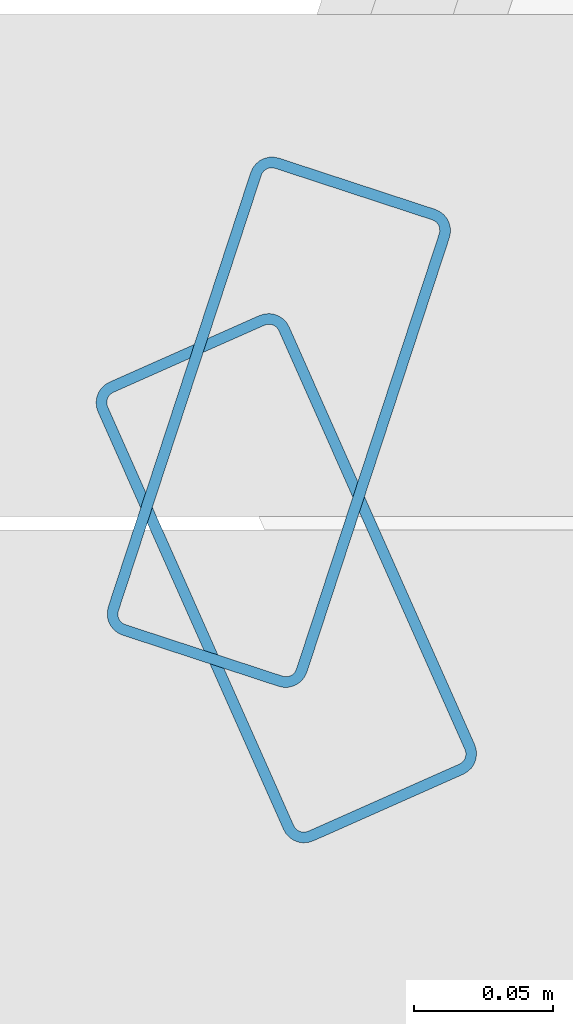
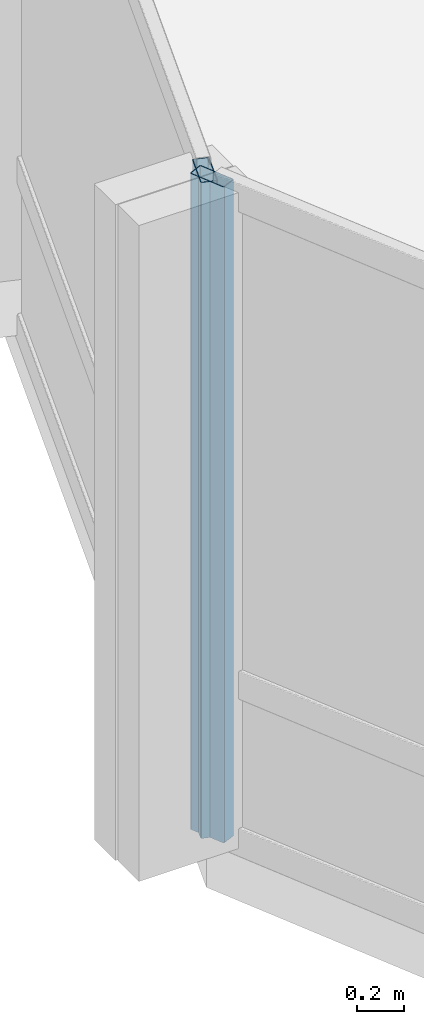
# One storey, part 6 of 28: 2 members, 2 elements without a shape of their own.
"""IFC4 building model written with IfcOpenShell, lengths in metres."""

import ifcopenshell
import ifcopenshell.guid

model = None  # the IFC model being written
_history = None  # IfcOwnerHistory: only IFC2X3 demands one
_inside = {}  # id of a spatial element -> (the spatial element, [elements in it])
_under = {}  # id of a project, library or spatial element -> (it, [spatial elements below it])
_declared = {}  # id of a project -> (the project, [libraries it declares])
_typed = {}  # id of a type object -> (the type object, [elements of that type])
_made_of = {}  # id of a material, layer set ... -> (it, [elements and type objects made of it])


def new_model(schema):
    """Start an empty IFC model of exactly this schema.

    Asked for "IFC4X3", IfcOpenShell would pick the latest addendum, in which some entities
    have other attributes; the version numbers below select the first issue.
    IFC2X3 requires an IfcOwnerHistory on every rooted entity: one is made here for all.
    """
    global model, _history
    if schema == "IFC4X3":
        model = ifcopenshell.file(schema_version=(4, 3, 0, 0))
    else:
        model = ifcopenshell.file(schema=schema)
    _inside.clear()
    _under.clear()
    _declared.clear()
    _typed.clear()
    _made_of.clear()
    _history = None
    if model.schema == "IFC2X3":
        org = make("IfcOrganization", Name="unknown")
        user = make(
            "IfcPersonAndOrganization",
            ThePerson=make("IfcPerson", FamilyName="unknown"),
            TheOrganization=org,
        )
        app = make(
            "IfcApplication",
            ApplicationDeveloper=org,
            Version="unknown",
            ApplicationFullName="unknown",
            ApplicationIdentifier="unknown",
        )
        _history = make(
            "IfcOwnerHistory",
            OwningUser=user,
            OwningApplication=app,
            ChangeAction="ADDED",
            CreationDate=0,
        )
    return model


def make(cls, **values):
    """One entity of the class cls with the attributes given. An attribute that is None is left unset."""
    return model.create_entity(
        cls, **{name: value for name, value in values.items() if value is not None}
    )


def rooted(cls, **values):
    """An entity with a GlobalId (a new one), such as an element, a storey or a relation."""
    return make(cls, GlobalId=ifcopenshell.guid.new(), OwnerHistory=_history, **values)


def si_unit(unit_type, name, prefix=None):
    """IfcSIUnit, for example si_unit("LENGTHUNIT", "METRE", prefix="MILLI")."""
    return make("IfcSIUnit", UnitType=unit_type, Prefix=prefix, Name=name)


def assignment(units):
    """IfcUnitAssignment: the units of a project."""
    return None if units is None else make("IfcUnitAssignment", Units=units)


def point(xyz):
    """IfcCartesianPoint."""
    return None if xyz is None else make("IfcCartesianPoint", Coordinates=xyz)


def direction(xyz):
    """IfcDirection."""
    return None if xyz is None else make("IfcDirection", DirectionRatios=xyz)


def frame(location, z_axis=None, x_axis=None):
    """IfcAxis2Placement3D, a coordinate frame: its origin and axes. An axis left out is left unset."""
    return make(
        "IfcAxis2Placement3D",
        Location=point(location),
        Axis=direction(z_axis),
        RefDirection=direction(x_axis),
    )


def frame_2d(location, x_axis=None):
    """IfcAxis2Placement2D, a coordinate frame in the plane: its origin and x axis."""
    return make(
        "IfcAxis2Placement2D", Location=point(location), RefDirection=direction(x_axis)
    )


def origin():
    """The frame at (0, 0, 0) with its axes left unset."""
    return frame((0.0, 0.0, 0.0))


def origin_2d():
    """The frame at (0, 0) in the plane with its x axis left unset."""
    return frame_2d((0.0, 0.0))


def place(relative_to, where):
    """IfcLocalPlacement: puts the frame where relative to a parent placement (None: the world)."""
    return make(
        "IfcLocalPlacement", PlacementRelTo=relative_to, RelativePlacement=where
    )


def context(
    kind, dimensions, precision=None, world=None, true_north=None, identifier=None
):
    """IfcGeometricRepresentationContext, for example the 3D "Model" context."""
    return make(
        "IfcGeometricRepresentationContext",
        ContextIdentifier=identifier,
        ContextType=kind,
        CoordinateSpaceDimension=dimensions,
        Precision=precision,
        WorldCoordinateSystem=world,
        TrueNorth=true_north,
    )


def subcontext(parent, identifier, kind, view, scale=None):
    """IfcGeometricRepresentationSubContext, for example "Body" below "Model"."""
    return make(
        "IfcGeometricRepresentationSubContext",
        ContextIdentifier=identifier,
        ContextType=kind,
        ParentContext=parent,
        TargetScale=scale,
        TargetView=view,
    )


def project(units=None, contexts=None):
    """IfcProject with its units and contexts."""
    return rooted(
        "IfcProject",
        Name="project",
        RepresentationContexts=contexts,
        UnitsInContext=assignment(units),
    )


def spatial(cls, under=None, at=None, **own):
    """A site, building, storey or space (cls), placed at a placement, below another one or the project."""
    s = rooted(cls, ObjectPlacement=at, **own)
    if under is not None:
        _under.setdefault(under.id(), (under, []))[1].append(s)
    return s


def profile(cls, at=None, kind="AREA", **sizes):
    """A parametric profile (cls). Its sizes go by their IFC names, for example OverallWidth=200.0."""
    return make(cls, ProfileType=kind, Position=at, **sizes)


def hollow_rectangle(**sizes):
    """IfcRectangleHollowProfileDef."""
    return profile("IfcRectangleHollowProfileDef", **sizes)


def extrude(swept, where, along, depth):
    """IfcExtrudedAreaSolid: the profile swept, set in the frame where, extruded along a direction by depth."""
    return make(
        "IfcExtrudedAreaSolid",
        SweptArea=swept,
        Position=where,
        ExtrudedDirection=direction(along),
        Depth=depth,
    )


def shape(context_of_items, identifier, shape_type, items):
    """IfcShapeRepresentation: the items that make up one representation, for example the "Body"."""
    return make(
        "IfcShapeRepresentation",
        ContextOfItems=context_of_items,
        RepresentationIdentifier=identifier,
        RepresentationType=shape_type,
        Items=items,
    )


def material(Name=None, Category=None):
    """IfcMaterial."""
    return make("IfcMaterial", Name=Name, Category=Category)


def layer(
    of_material, thickness, ventilated=None, Name=None, Category=None, Priority=None
):
    """IfcMaterialLayer: one layer of a wall or slab, of a material (None: an air gap)."""
    return make(
        "IfcMaterialLayer",
        Material=of_material,
        LayerThickness=thickness,
        IsVentilated=ventilated,
        Name=Name,
        Category=Category,
        Priority=Priority,
    )


def layer_set(layers, Name=None):
    """IfcMaterialLayerSet."""
    return make("IfcMaterialLayerSet", MaterialLayers=layers, LayerSetName=Name)


def material_profile(
    of_material, cross_section, Name=None, Category=None, Priority=None
):
    """IfcMaterialProfile: a cross section and its material."""
    return make(
        "IfcMaterialProfile",
        Name=Name,
        Material=of_material,
        Profile=cross_section,
        Priority=Priority,
        Category=Category,
    )


def profile_set(profiles, Name=None, composite=None):
    """IfcMaterialProfileSet."""
    return make(
        "IfcMaterialProfileSet",
        Name=Name,
        MaterialProfiles=profiles,
        CompositeProfile=composite,
    )


def made_of(thing, what):
    """Note that an element or type object is made of a material, layer set ...; save() writes the relation."""
    if what is not None:
        _made_of.setdefault(what.id(), (what, []))[1].append(thing)
    return thing


def type_object(cls, material=None, **own):
    """A type object (cls), such as IfcWallType, which elements share."""
    return made_of(rooted(cls, **own), material)


def element(
    cls,
    number,
    at=None,
    inside=None,
    cuts=None,
    type_object=None,
    material=None,
    context=None,
    identifier="Body",
    shape_type=None,
    held_by="IfcProductDefinitionShape",
    body=None,
    shapes=None,
    **own,
):
    """One element of the class cls, such as IfcWall. Its Tag is "e" and its number.

    at: its placement. inside: the storey or other place that contains it. cuts: it is an
    opening in that element (IfcRelVoidsElement). A single representation is given by context,
    identifier, shape_type and body (its items); several are given by shapes. held_by: the class
    of the entity that holds the representations. save() writes the other relations.
    """
    e = rooted(cls, Tag="e%d" % number, ObjectPlacement=at, **own)
    if body is not None:
        shapes = [shape(context, identifier, shape_type, body)]
    if shapes is not None:
        e.Representation = make(held_by, Representations=shapes)
    if inside is not None:
        _inside.setdefault(inside.id(), (inside, []))[1].append(e)
    if cuts is not None:
        rooted(
            "IfcRelVoidsElement", RelatingBuildingElement=cuts, RelatedOpeningElement=e
        )
    if type_object is not None:
        _typed.setdefault(type_object.id(), (type_object, []))[1].append(e)
    return made_of(e, material)


def aggregate(whole, parts):
    """IfcRelAggregates: a whole, such as a stair, and the parts it consists of."""
    return rooted("IfcRelAggregates", RelatingObject=whole, RelatedObjects=parts)


def save(model, path):
    """Write the relations noted so far, then the file.

    IfcRelAggregates (storeys below a building ...), IfcRelContainedInSpatialStructure (elements
    in a storey), IfcRelDefinesByType, IfcRelAssociatesMaterial and IfcRelDeclares: one each for
    every whole, place, type object, material and project.
    """
    for whole, parts in _under.values():
        aggregate(whole, parts)
    for where, things in _inside.values():
        rooted(
            "IfcRelContainedInSpatialStructure",
            RelatedElements=things,
            RelatingStructure=where,
        )
    for kind, things in _typed.values():
        rooted("IfcRelDefinesByType", RelatedObjects=things, RelatingType=kind)
    for what, things in _made_of.values():
        rooted("IfcRelAssociatesMaterial", RelatedObjects=things, RelatingMaterial=what)
    for by, libraries in _declared.values():
        rooted("IfcRelDeclares", RelatingContext=by, RelatedDefinitions=libraries)
    model.write(path)


model = new_model("IFC4")

# Units and contexts
model_context = context("Model", 3, precision=1e-05, world=origin(), true_north=direction((0.0, 1.0)))
body_context = subcontext(model_context, "Body", "Model", "MODEL_VIEW")
ifc_project = project(units=[si_unit("LENGTHUNIT", "METRE"), si_unit("AREAUNIT", "SQUARE_METRE"), si_unit("VOLUMEUNIT", "CUBIC_METRE"), si_unit("PLANEANGLEUNIT", "RADIAN"), si_unit("MASSUNIT", "GRAM", prefix="KILO")], contexts=[model_context])

# Site, building, storey
site_placement = place(None, origin())
site = spatial("IfcSite", under=ifc_project, at=site_placement, CompositionType="ELEMENT")
building_placement = place(site_placement, origin())
building = spatial("IfcBuilding", under=site, at=building_placement, Name="Solvaryn Broadcast Tower", CompositionType="ELEMENT")
storey_placement = place(building_placement, frame((0.0, 0.0, 150.699951171875)))
storey = spatial("IfcBuildingStorey", under=building, at=storey_placement, Name="L37", CompositionType="ELEMENT", Elevation=150.699951171875)

# Curtain wall, member
ifc_material_1 = material(Name="Aluminium and Terracotta Unitised Curtain Wall", Category="masonry")
ifc_layer_1 = layer(ifc_material_1, 0.199951171875)
ifc_layer_set_1 = layer_set([ifc_layer_1], Name="CW-SYS2-LOWMID")
curtain_wall_type_1 = type_object("IfcCurtainWallType", Name="CW-SYS2-LOWMID", PredefinedType="NOTDEFINED", material=ifc_layer_set_1)
curtain_wall_1_placement = place(storey_placement, origin())
curtain_wall_1 = element("IfcCurtainWall", 1, at=curtain_wall_1_placement, inside=storey, type_object=curtain_wall_type_1, Name="L37 Curtain Wall DR1", PredefinedType="NOTDEFINED")
ifc_material_2 = material(Name="Anodised Aluminium 6063-T6", Category="aluminium")
ifc_material_profile = material_profile(ifc_material_2, hollow_rectangle(XDim=0.074951171875, YDim=0.179931640625, WallThickness=0.00390625, InnerFilletRadius=0.00390625, OuterFilletRadius=0.008056640625, at=origin_2d()))
ifc_profile_set = profile_set([ifc_material_profile], Name="Anodised Aluminium 6063-T6")
member_type = type_object("IfcMemberType", Name="CW-MUL-180", PredefinedType="MULLION", material=ifc_profile_set)
member_1_placement = place(storey_placement, frame((1.04345703125, 26.66455078125, 0.0), z_axis=(0.0, 0.0, 1.0), x_axis=(0.950198260794, -0.311646057547, 0.0)))
member_1 = element("IfcMember", 2, at=member_1_placement, type_object=member_type, Name="CWS2 mullion 2", PredefinedType="MULLION", context=body_context, shape_type="SweptSolid", body=[
    extrude(hollow_rectangle(XDim=0.074951171875, YDim=0.179931640625, WallThickness=0.00390625, InnerFilletRadius=0.00390625, OuterFilletRadius=0.008056640625, at=origin_2d()), origin(), (0.0, 0.0, 1.0), 3.420166015625),
])
aggregate(curtain_wall_1, [member_1])

ifc_material_3 = material(Name="Aluminium and Terracotta Unitised Curtain Wall", Category="masonry")
ifc_layer_2 = layer(ifc_material_3, 0.239990234375)
ifc_layer_set_2 = layer_set([ifc_layer_2], Name="CW-SYS3-BAYBOX")
curtain_wall_type_2 = type_object("IfcCurtainWallType", Name="CW-SYS3-BAYBOX", PredefinedType="NOTDEFINED", material=ifc_layer_set_2)
curtain_wall_2_placement = place(storey_placement, origin())
curtain_wall_2 = element("IfcCurtainWall", 3, at=curtain_wall_2_placement, inside=storey, type_object=curtain_wall_type_2, Name="L37 Curtain Wall DR2", PredefinedType="NOTDEFINED")
member_2_placement = place(storey_placement, frame((1.046142578125, 26.608642578125, 0.0), z_axis=(0.0, 0.0, 1.0), x_axis=(0.913909311008, 0.405918429309, 0.0)))
member_2 = element("IfcMember", 4, at=member_2_placement, type_object=member_type, Name="CWS3 mullion 1", PredefinedType="MULLION", context=body_context, shape_type="SweptSolid", body=[
    extrude(hollow_rectangle(XDim=0.074951171875, YDim=0.179931640625, WallThickness=0.00390625, InnerFilletRadius=0.00390625, OuterFilletRadius=0.008056640625, at=origin_2d()), origin(), (0.0, 0.0, 1.0), 3.420166015625),
])
aggregate(curtain_wall_2, [member_2])

save(model, "model.ifc")
